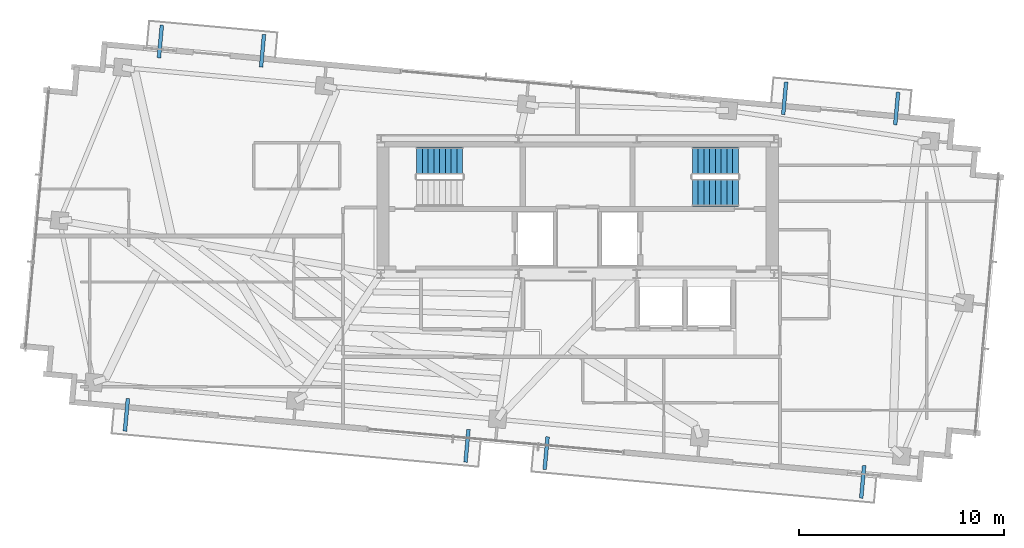
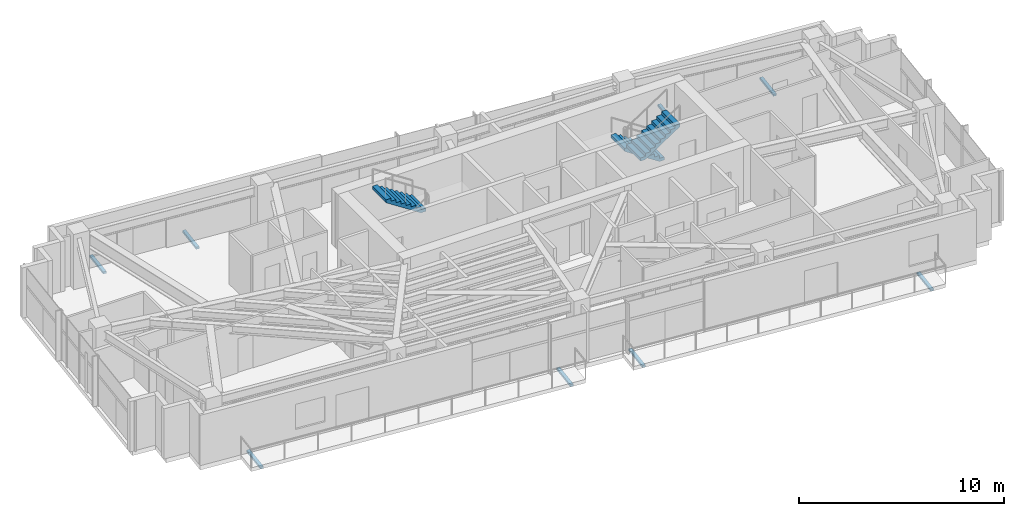
# One storey, part 19 of 22: 8 discrete accessories, 3 stair flights, 2 elements without a shape of their own.
"""IFC4 building model written with IfcOpenShell, lengths in metres."""

from ifc_helpers import new_model, si_unit, direction, frame, origin, origin_2d, place, context, subcontext, project, spatial, polyline, rectangle, outline, extrude, source, transform, mapped, material, type_object, type_shapes, element, aggregate, save


model = new_model("IFC4")

# Units and contexts
model_context = context("Model", 3, precision=1e-05, world=origin(), true_north=direction((0.0, 1.0)))
body_context = subcontext(model_context, "Body", "Model", "MODEL_VIEW")
ifc_project = project(units=[si_unit("LENGTHUNIT", "METRE"), si_unit("AREAUNIT", "SQUARE_METRE"), si_unit("VOLUMEUNIT", "CUBIC_METRE"), si_unit("PLANEANGLEUNIT", "RADIAN"), si_unit("MASSUNIT", "GRAM", prefix="KILO")], contexts=[model_context])

# Site, building, storey
site_placement = place(None, origin())
site = spatial("IfcSite", under=ifc_project, at=site_placement, CompositionType="ELEMENT")
building_placement = place(site_placement, origin())
building = spatial("IfcBuilding", under=site, at=building_placement, Name="Astriad Promenade Condominiums", CompositionType="ELEMENT")
storey_placement = place(building_placement, frame((0.0, 0.0, 256.199951171875)))
storey = spatial("IfcBuildingStorey", under=building, at=storey_placement, Name="L74", CompositionType="ELEMENT", Elevation=256.199951171875)

# Stair, stair flight
ifc_material_1 = material(Name="Concrete C50/60", Category="concrete")
stair_type = type_object("IfcStairType", Name="STR-CORE-1350", PredefinedType="HALF_TURN_STAIR", material=ifc_material_1)
stair_1_placement = place(storey_placement, origin())
stair_1 = element("IfcStair", 1, at=stair_1_placement, inside=storey, type_object=stair_type, Name="L74 Enclosed Core Exit Stair ST-1", PredefinedType="HALF_TURN_STAIR")
stair_flight_type = type_object("IfcStairFlightType", Name="SFL-CORE-1350", PredefinedType="STRAIGHT", material=ifc_material_1)
shared_shape_1 = source(origin(), body_context, "Body", "SweptSolid", [
    extrude(outline(polyline([(0.0, 0.0), (0.0, 0.183349609375), (0.280029296875, 0.183349609375), (0.280029296875, 0.36669921875), (0.56005859375, 0.36669921875), (0.56005859375, 0.550048828125), (0.840087890625, 0.550048828125), (0.840087890625, 0.7333984375), (1.1201171875, 0.7333984375), (1.1201171875, 0.916748046875), (1.39990234375, 0.916748046875), (1.39990234375, 1.10009765625), (1.679931640625, 1.10009765625), (1.679931640625, 1.283447265625), (1.9599609375, 1.283447265625), (1.9599609375, 1.466552734375), (2.239990234375, 1.466552734375), (2.239990234375, 1.64990234375), (2.239990234375, 1.28759765625), (0.273681640625, 0.0), (0.0, 0.0)])), frame((0.0, 0.675048828125, 0.0), z_axis=(0.0, -1.0, 0.0), x_axis=(1.0, 0.0, 0.0)), (0.0, 0.0, 1.0), 1.35009765625),
])
type_shapes(stair_flight_type, [shared_shape_1])
stair_flight_1_placement = place(storey_placement, frame((30.389892578125, 22.925048828125, 1.650146484375), z_axis=(0.0, 0.0, 1.0), x_axis=(-1.0, 0.0, 0.0)))
stair_flight_1 = element("IfcStairFlight", 2, at=stair_flight_1_placement, type_object=stair_flight_type, Name="ST-1 flight 2", NumberOfRisers=9, NumberOfTreads=8, PredefinedType="STRAIGHT", RiserHeight=0.183333333, TreadLength=0.28, context=body_context, shape_type="MappedRepresentation", body=[
    mapped(shared_shape_1, transform((0.0, 0.0, 0.0), scale=1.0)),
])
aggregate(stair_1, [stair_flight_1])

# Stair, stair flights
stair_2_placement = place(storey_placement, origin())
stair_2 = element("IfcStair", 3, at=stair_2_placement, inside=storey, type_object=stair_type, Name="L74 Enclosed Core Exit Stair ST-2", PredefinedType="HALF_TURN_STAIR")
stair_flight_2_placement = place(storey_placement, frame((43.85009765625, 22.925048828125, 0.0), z_axis=(0.0, 0.0, 1.0), x_axis=(-1.0, 0.0, 0.0)))
stair_flight_2 = element("IfcStairFlight", 4, at=stair_flight_2_placement, type_object=stair_flight_type, Name="ST-2 flight 1", NumberOfRisers=9, NumberOfTreads=8, PredefinedType="STRAIGHT", RiserHeight=0.183333333, TreadLength=0.28, context=body_context, shape_type="MappedRepresentation", body=[
    mapped(shared_shape_1, transform((0.0, 0.0, 0.0), scale=1.0)),
])
stair_flight_3_placement = place(storey_placement, frame((41.610107421875, 21.375, 1.650146484375), z_axis=(0.0, 0.0, 1.0), x_axis=(1.0, 0.0, 0.0)))
stair_flight_3 = element("IfcStairFlight", 5, at=stair_flight_3_placement, type_object=stair_flight_type, Name="ST-2 flight 2", NumberOfRisers=9, NumberOfTreads=8, PredefinedType="STRAIGHT", RiserHeight=0.183333333, TreadLength=0.28, context=body_context, shape_type="MappedRepresentation", body=[
    mapped(shared_shape_1, transform((0.0, 0.0, 0.0), scale=1.0)),
])
aggregate(stair_2, [stair_flight_2, stair_flight_3])

# Discrete accessories
ifc_material_2 = material(Name="Steel ASTM A572 Grade 50", Category="steel")
discrete_accessory_type = type_object("IfcDiscreteAccessoryType", Name="STEEL BALCONY OUTRIGGER BRACKET", PredefinedType="BRACKET", material=ifc_material_2)
shared_shape_2 = source(origin(), body_context, "Body", "SweptSolid", [
    extrude(rectangle(XDim=1.60009765625, YDim=0.179931640625, at=origin_2d()), origin(), (0.0, 0.0, 1.0), 0.1220703125),
])
type_shapes(discrete_accessory_type, [shared_shape_2])
for number, where, z_axis, x_axis, name in (
    (6, (13.97998046875, 10.52490234375, -0.340087890625), (0.0, 0.0, 1.0), (-0.090632580198, -0.995884398616, 0.0), "Balcony Outrigger Bracket BAL-L74-SW-A"),
    (7, (30.6044921875, 9.011962890625, -0.340087890625), (0.0, 0.0, 1.0), (-0.090632580198, -0.995884398616, 0.0), "Balcony Outrigger Bracket BAL-L74-SW-B"),
    (8, (34.46630859375, 8.660400390625, -0.340087890625), (0.0, 0.0, 1.0), (-0.090632580198, -0.995884398616, 0.0), "Balcony Outrigger Bracket BAL-L74-SE-A"),
    (9, (49.91552734375, 7.25439453125, -0.340087890625), (0.0, 0.0, 1.0), (-0.090632580198, -0.995884398616, 0.0), "Balcony Outrigger Bracket BAL-L74-SE-B"),
    (10, (15.638671875, 28.74951171875, -0.340087890625), (0.0, 0.0, 1.0), (0.090632580198, 0.995884398616, 0.0), "Balcony Outrigger Bracket BAL-L74-NW-A"),
    (11, (20.623046875, 28.2958984375, -0.340087890625), (0.0, 0.0, 1.0), (0.090632580198, 0.995884398616, 0.0), "Balcony Outrigger Bracket BAL-L74-NW-B"),
    (12, (46.107666015625, 25.976806640625, -0.340087890625), (0.0, 0.0, 1.0), (0.090632580198, 0.995884398616, 0.0), "Balcony Outrigger Bracket BAL-L74-NE-A"),
    (13, (51.57421875, 25.479248046875, -0.340087890625), (0.0, 0.0, 1.0), (0.090632580198, 0.995884398616, 0.0), "Balcony Outrigger Bracket BAL-L74-NE-B"),
):
    element("IfcDiscreteAccessory", number, at=place(storey_placement, frame(where, z_axis=z_axis, x_axis=x_axis)), inside=storey, type_object=discrete_accessory_type, Name=name, PredefinedType="BRACKET", context=body_context, shape_type="MappedRepresentation", body=[
        mapped(shared_shape_2, transform((0.0, 0.0, 0.0), scale=1.0)),
    ])

save(model, "model.ifc")
